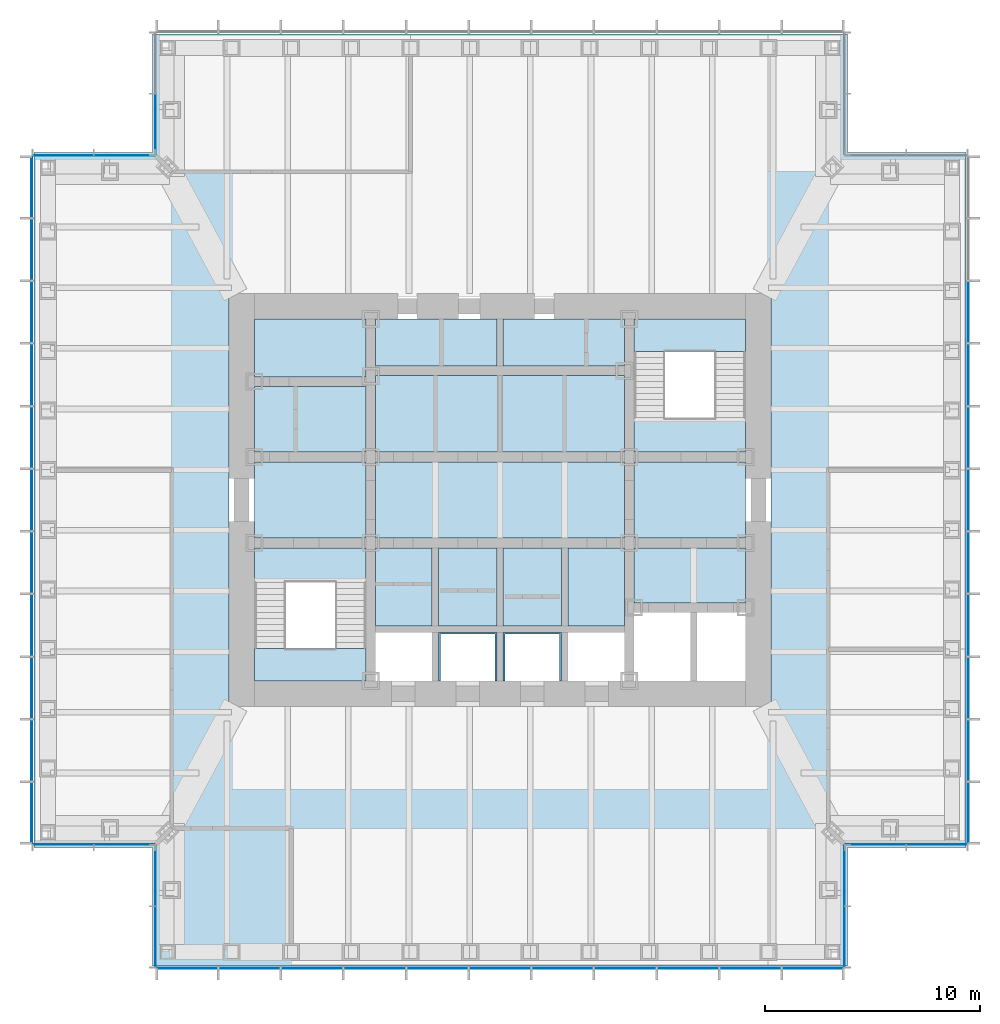
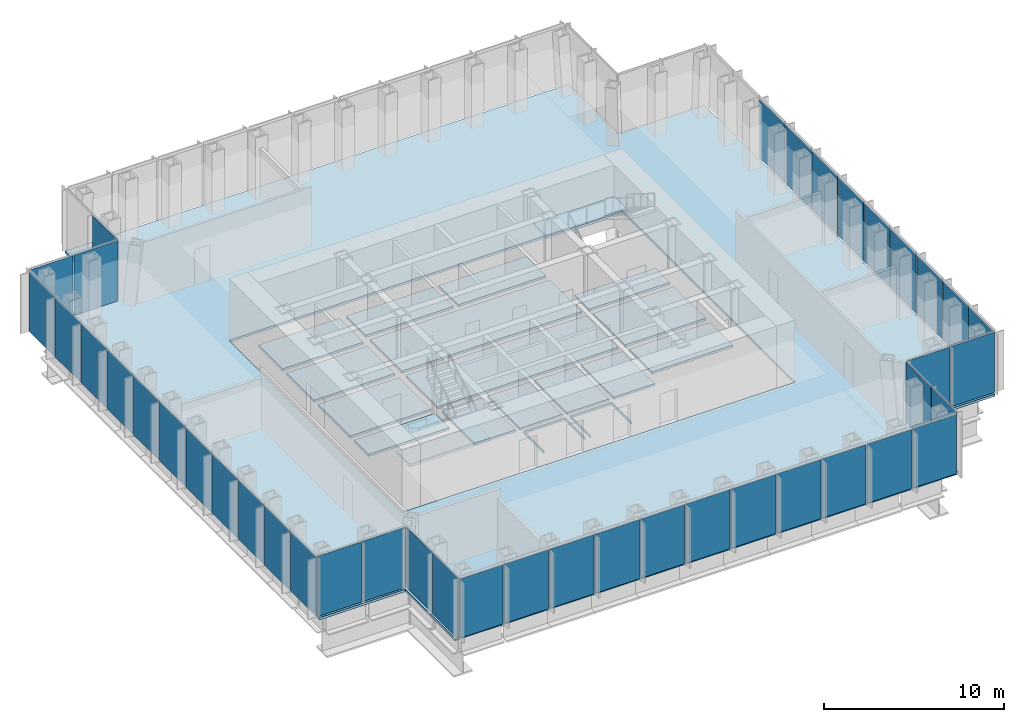
# One storey, part 7 of 14: 42 plates, 20 slabs, 11 elements without a shape of their own.
"""IFC4 building model written with IfcOpenShell, lengths in metres."""

from ifc_helpers import new_model, si_unit, direction, frame, origin, origin_2d, place, context, subcontext, project, spatial, polyline, rectangle, outline, extrude, material, layer, layer_set, type_object, element, aggregate, save


model = new_model("IFC4")

# Units and contexts
model_context = context("Model", 3, precision=1e-05, world=origin(), true_north=direction((0.0, 1.0)))
body_context = subcontext(model_context, "Body", "Model", "MODEL_VIEW")
ifc_project = project(units=[si_unit("LENGTHUNIT", "METRE"), si_unit("AREAUNIT", "SQUARE_METRE"), si_unit("VOLUMEUNIT", "CUBIC_METRE"), si_unit("PLANEANGLEUNIT", "RADIAN"), si_unit("MASSUNIT", "GRAM", prefix="KILO")], contexts=[model_context])

# Site, building, storey
site_placement = place(None, origin())
site = spatial("IfcSite", under=ifc_project, at=site_placement, CompositionType="ELEMENT")
building_placement = place(site_placement, origin())
building = spatial("IfcBuilding", under=site, at=building_placement, Name="Daluyong Arena Tower", CompositionType="ELEMENT")
storey_placement = place(building_placement, frame((0.0, 0.0, 250.300048828125)))
storey = spatial("IfcBuildingStorey", under=building, at=storey_placement, Name="L56", CompositionType="ELEMENT", Elevation=250.300048828125)

# Curtain wall, plates
ifc_material_1 = material(Name="Bronze anodised aluminium and glass", Category="aluminium")
curtain_wall_type_1 = type_object("IfcCurtainWallType", Name="Curtain wall CW4", PredefinedType="USERDEFINED", material=ifc_material_1)
curtain_wall_1_placement = place(storey_placement, origin())
curtain_wall_1 = element("IfcCurtainWall", 1, at=curtain_wall_1_placement, inside=storey, type_object=curtain_wall_type_1, Name="curtain wall L56 S", ObjectType="UNITISED CURTAIN WALL", PredefinedType="USERDEFINED")
ifc_material_2 = material(Name="Tinted laminated double glazed unit", Category="glass")
ifc_layer_1 = layer(ifc_material_2, 0.035888671875)
ifc_layer_set_1 = layer_set([ifc_layer_1], Name="Tinted laminated double glazed unit")
plate_type_1 = type_object("IfcPlateType", Name="CW4 panel 36", PredefinedType="CURTAIN_PANEL", material=ifc_layer_set_1)
plate_1_placement = place(storey_placement, frame((41.47705078125, 58.25, 0.0), z_axis=(0.0, 0.0, 1.0), x_axis=(1.0, 0.0, 0.0)))
plate_1 = element("IfcPlate", 2, at=plate_1_placement, type_object=plate_type_1, Name="curtain wall L56 S panel 1", PredefinedType="CURTAIN_PANEL", context=body_context, shape_type="SweptSolid", body=[
    extrude(rectangle(XDim=2.774169921875, YDim=0.035888671875, at=origin_2d()), origin(), (0.0, 0.0, 1.0), 4.0),
])
plate_2_placement = place(storey_placement, frame((44.363525390625, 58.25, 0.0), z_axis=(0.0, 0.0, 1.0), x_axis=(1.0, 0.0, 0.0)))
plate_2 = element("IfcPlate", 3, at=plate_2_placement, type_object=plate_type_1, Name="curtain wall L56 S panel 2", PredefinedType="CURTAIN_PANEL", context=body_context, shape_type="SweptSolid", body=[
    extrude(rectangle(XDim=2.819091796875, YDim=0.035888671875, at=origin_2d()), origin(), (0.0, 0.0, 1.0), 4.0),
])
plate_3_placement = place(storey_placement, frame((47.272705078125, 58.25, 0.0), z_axis=(0.0, 0.0, 1.0), x_axis=(1.0, 0.0, 0.0)))
plate_3 = element("IfcPlate", 4, at=plate_3_placement, type_object=plate_type_1, Name="curtain wall L56 S panel 3", PredefinedType="CURTAIN_PANEL", context=body_context, shape_type="SweptSolid", body=[
    extrude(rectangle(XDim=2.819091796875, YDim=0.035888671875, at=origin_2d()), origin(), (0.0, 0.0, 1.0), 4.0),
])
plate_4_placement = place(storey_placement, frame((50.181884765625, 58.25, 0.0), z_axis=(0.0, 0.0, 1.0), x_axis=(1.0, 0.0, 0.0)))
plate_4 = element("IfcPlate", 5, at=plate_4_placement, type_object=plate_type_1, Name="curtain wall L56 S panel 4", PredefinedType="CURTAIN_PANEL", context=body_context, shape_type="SweptSolid", body=[
    extrude(rectangle(XDim=2.819091796875, YDim=0.035888671875, at=origin_2d()), origin(), (0.0, 0.0, 1.0), 4.0),
])
plate_5_placement = place(storey_placement, frame((53.0908203125, 58.25, 0.0), z_axis=(0.0, 0.0, 1.0), x_axis=(1.0, 0.0, 0.0)))
plate_5 = element("IfcPlate", 6, at=plate_5_placement, type_object=plate_type_1, Name="curtain wall L56 S panel 5", PredefinedType="CURTAIN_PANEL", context=body_context, shape_type="SweptSolid", body=[
    extrude(rectangle(XDim=2.819091796875, YDim=0.035888671875, at=origin_2d()), origin(), (0.0, 0.0, 1.0), 4.0),
])
plate_6_placement = place(storey_placement, frame((56.0, 58.25, 0.0), z_axis=(0.0, 0.0, 1.0), x_axis=(1.0, 0.0, 0.0)))
plate_6 = element("IfcPlate", 7, at=plate_6_placement, type_object=plate_type_1, Name="curtain wall L56 S panel 6", PredefinedType="CURTAIN_PANEL", context=body_context, shape_type="SweptSolid", body=[
    extrude(rectangle(XDim=2.819091796875, YDim=0.035888671875, at=origin_2d()), origin(), (0.0, 0.0, 1.0), 4.0),
])
plate_7_placement = place(storey_placement, frame((58.9091796875, 58.25, 0.0), z_axis=(0.0, 0.0, 1.0), x_axis=(1.0, 0.0, 0.0)))
plate_7 = element("IfcPlate", 8, at=plate_7_placement, type_object=plate_type_1, Name="curtain wall L56 S panel 7", PredefinedType="CURTAIN_PANEL", context=body_context, shape_type="SweptSolid", body=[
    extrude(rectangle(XDim=2.819091796875, YDim=0.035888671875, at=origin_2d()), origin(), (0.0, 0.0, 1.0), 4.0),
])
plate_8_placement = place(storey_placement, frame((61.818115234375, 58.25, 0.0), z_axis=(0.0, 0.0, 1.0), x_axis=(1.0, 0.0, 0.0)))
plate_8 = element("IfcPlate", 9, at=plate_8_placement, type_object=plate_type_1, Name="curtain wall L56 S panel 8", PredefinedType="CURTAIN_PANEL", context=body_context, shape_type="SweptSolid", body=[
    extrude(rectangle(XDim=2.819091796875, YDim=0.035888671875, at=origin_2d()), origin(), (0.0, 0.0, 1.0), 4.0),
])
plate_9_placement = place(storey_placement, frame((64.727294921875, 58.25, 0.0), z_axis=(0.0, 0.0, 1.0), x_axis=(1.0, 0.0, 0.0)))
plate_9 = element("IfcPlate", 10, at=plate_9_placement, type_object=plate_type_1, Name="curtain wall L56 S panel 9", PredefinedType="CURTAIN_PANEL", context=body_context, shape_type="SweptSolid", body=[
    extrude(rectangle(XDim=2.819091796875, YDim=0.035888671875, at=origin_2d()), origin(), (0.0, 0.0, 1.0), 4.0),
])
plate_10_placement = place(storey_placement, frame((67.636474609375, 58.25, 0.0), z_axis=(0.0, 0.0, 1.0), x_axis=(1.0, 0.0, 0.0)))
plate_10 = element("IfcPlate", 11, at=plate_10_placement, type_object=plate_type_1, Name="curtain wall L56 S panel 10", PredefinedType="CURTAIN_PANEL", context=body_context, shape_type="SweptSolid", body=[
    extrude(rectangle(XDim=2.819091796875, YDim=0.035888671875, at=origin_2d()), origin(), (0.0, 0.0, 1.0), 4.0),
])
plate_11_placement = place(storey_placement, frame((70.52294921875, 58.25, 0.0), z_axis=(0.0, 0.0, 1.0), x_axis=(1.0, 0.0, 0.0)))
plate_11 = element("IfcPlate", 12, at=plate_11_placement, type_object=plate_type_1, Name="curtain wall L56 S panel 11", PredefinedType="CURTAIN_PANEL", context=body_context, shape_type="SweptSolid", body=[
    extrude(rectangle(XDim=2.774169921875, YDim=0.035888671875, at=origin_2d()), origin(), (0.0, 0.0, 1.0), 4.0),
])
aggregate(curtain_wall_1, [plate_1, plate_2, plate_3, plate_4, plate_5, plate_6, plate_7, plate_8, plate_9, plate_10, plate_11])

curtain_wall_2_placement = place(storey_placement, origin())
curtain_wall_2 = element("IfcCurtainWall", 13, at=curtain_wall_2_placement, inside=storey, type_object=curtain_wall_type_1, Name="curtain wall L56 E", ObjectType="UNITISED CURTAIN WALL", PredefinedType="USERDEFINED")
plate_12_placement = place(storey_placement, frame((77.75, 65.47705078125, 0.0), z_axis=(0.0, 0.0, 1.0), x_axis=(0.0, 1.0, 0.0)))
plate_12 = element("IfcPlate", 14, at=plate_12_placement, type_object=plate_type_1, Name="curtain wall L56 E panel 1", PredefinedType="CURTAIN_PANEL", context=body_context, shape_type="SweptSolid", body=[
    extrude(rectangle(XDim=2.774169921875, YDim=0.035888671875, at=origin_2d()), origin(), (0.0, 0.0, 1.0), 4.0),
])
plate_13_placement = place(storey_placement, frame((77.75, 68.363525390625, 0.0), z_axis=(0.0, 0.0, 1.0), x_axis=(0.0, 1.0, 0.0)))
plate_13 = element("IfcPlate", 15, at=plate_13_placement, type_object=plate_type_1, Name="curtain wall L56 E panel 2", PredefinedType="CURTAIN_PANEL", context=body_context, shape_type="SweptSolid", body=[
    extrude(rectangle(XDim=2.819091796875, YDim=0.035888671875, at=origin_2d()), origin(), (0.0, 0.0, 1.0), 4.0),
])
plate_14_placement = place(storey_placement, frame((77.75, 71.272705078125, 0.0), z_axis=(0.0, 0.0, 1.0), x_axis=(0.0, 1.0, 0.0)))
plate_14 = element("IfcPlate", 16, at=plate_14_placement, type_object=plate_type_1, Name="curtain wall L56 E panel 3", PredefinedType="CURTAIN_PANEL", context=body_context, shape_type="SweptSolid", body=[
    extrude(rectangle(XDim=2.819091796875, YDim=0.035888671875, at=origin_2d()), origin(), (0.0, 0.0, 1.0), 4.0),
])
plate_15_placement = place(storey_placement, frame((77.75, 74.181884765625, 0.0), z_axis=(0.0, 0.0, 1.0), x_axis=(0.0, 1.0, 0.0)))
plate_15 = element("IfcPlate", 17, at=plate_15_placement, type_object=plate_type_1, Name="curtain wall L56 E panel 4", PredefinedType="CURTAIN_PANEL", context=body_context, shape_type="SweptSolid", body=[
    extrude(rectangle(XDim=2.819091796875, YDim=0.035888671875, at=origin_2d()), origin(), (0.0, 0.0, 1.0), 4.0),
])
plate_16_placement = place(storey_placement, frame((77.75, 77.0908203125, 0.0), z_axis=(0.0, 0.0, 1.0), x_axis=(0.0, 1.0, 0.0)))
plate_16 = element("IfcPlate", 18, at=plate_16_placement, type_object=plate_type_1, Name="curtain wall L56 E panel 5", PredefinedType="CURTAIN_PANEL", context=body_context, shape_type="SweptSolid", body=[
    extrude(rectangle(XDim=2.819091796875, YDim=0.035888671875, at=origin_2d()), origin(), (0.0, 0.0, 1.0), 4.0),
])
plate_17_placement = place(storey_placement, frame((77.75, 80.0, 0.0), z_axis=(0.0, 0.0, 1.0), x_axis=(0.0, 1.0, 0.0)))
plate_17 = element("IfcPlate", 19, at=plate_17_placement, type_object=plate_type_1, Name="curtain wall L56 E panel 6", PredefinedType="CURTAIN_PANEL", context=body_context, shape_type="SweptSolid", body=[
    extrude(rectangle(XDim=2.819091796875, YDim=0.035888671875, at=origin_2d()), origin(), (0.0, 0.0, 1.0), 4.0),
])
plate_18_placement = place(storey_placement, frame((77.75, 82.9091796875, 0.0), z_axis=(0.0, 0.0, 1.0), x_axis=(0.0, 1.0, 0.0)))
plate_18 = element("IfcPlate", 20, at=plate_18_placement, type_object=plate_type_1, Name="curtain wall L56 E panel 7", PredefinedType="CURTAIN_PANEL", context=body_context, shape_type="SweptSolid", body=[
    extrude(rectangle(XDim=2.819091796875, YDim=0.035888671875, at=origin_2d()), origin(), (0.0, 0.0, 1.0), 4.0),
])
plate_19_placement = place(storey_placement, frame((77.75, 85.818115234375, 0.0), z_axis=(0.0, 0.0, 1.0), x_axis=(0.0, 1.0, 0.0)))
plate_19 = element("IfcPlate", 21, at=plate_19_placement, type_object=plate_type_1, Name="curtain wall L56 E panel 8", PredefinedType="CURTAIN_PANEL", context=body_context, shape_type="SweptSolid", body=[
    extrude(rectangle(XDim=2.819091796875, YDim=0.035888671875, at=origin_2d()), origin(), (0.0, 0.0, 1.0), 4.0),
])
plate_20_placement = place(storey_placement, frame((77.75, 88.727294921875, 0.0), z_axis=(0.0, 0.0, 1.0), x_axis=(0.0, 1.0, 0.0)))
plate_20 = element("IfcPlate", 22, at=plate_20_placement, type_object=plate_type_1, Name="curtain wall L56 E panel 9", PredefinedType="CURTAIN_PANEL", context=body_context, shape_type="SweptSolid", body=[
    extrude(rectangle(XDim=2.819091796875, YDim=0.035888671875, at=origin_2d()), origin(), (0.0, 0.0, 1.0), 4.0),
])
aggregate(curtain_wall_2, [plate_12, plate_13, plate_14, plate_15, plate_16, plate_17, plate_18, plate_19, plate_20])

curtain_wall_3_placement = place(storey_placement, origin())
curtain_wall_3 = element("IfcCurtainWall", 23, at=curtain_wall_3_placement, inside=storey, type_object=curtain_wall_type_1, Name="curtain wall L56 W", ObjectType="UNITISED CURTAIN WALL", PredefinedType="USERDEFINED")
plate_21_placement = place(storey_placement, frame((34.25, 94.52294921875, 0.0), z_axis=(0.0, 0.0, 1.0), x_axis=(0.0, -1.0, 0.0)))
plate_21 = element("IfcPlate", 24, at=plate_21_placement, type_object=plate_type_1, Name="curtain wall L56 W panel 1", PredefinedType="CURTAIN_PANEL", context=body_context, shape_type="SweptSolid", body=[
    extrude(rectangle(XDim=2.774169921875, YDim=0.035888671875, at=origin_2d()), origin(), (0.0, 0.0, 1.0), 4.0),
])
plate_22_placement = place(storey_placement, frame((34.25, 91.636474609375, 0.0), z_axis=(0.0, 0.0, 1.0), x_axis=(0.0, -1.0, 0.0)))
plate_22 = element("IfcPlate", 25, at=plate_22_placement, type_object=plate_type_1, Name="curtain wall L56 W panel 2", PredefinedType="CURTAIN_PANEL", context=body_context, shape_type="SweptSolid", body=[
    extrude(rectangle(XDim=2.819091796875, YDim=0.035888671875, at=origin_2d()), origin(), (0.0, 0.0, 1.0), 4.0),
])
plate_23_placement = place(storey_placement, frame((34.25, 88.727294921875, 0.0), z_axis=(0.0, 0.0, 1.0), x_axis=(0.0, -1.0, 0.0)))
plate_23 = element("IfcPlate", 26, at=plate_23_placement, type_object=plate_type_1, Name="curtain wall L56 W panel 3", PredefinedType="CURTAIN_PANEL", context=body_context, shape_type="SweptSolid", body=[
    extrude(rectangle(XDim=2.819091796875, YDim=0.035888671875, at=origin_2d()), origin(), (0.0, 0.0, 1.0), 4.0),
])
plate_24_placement = place(storey_placement, frame((34.25, 85.818115234375, 0.0), z_axis=(0.0, 0.0, 1.0), x_axis=(0.0, -1.0, 0.0)))
plate_24 = element("IfcPlate", 27, at=plate_24_placement, type_object=plate_type_1, Name="curtain wall L56 W panel 4", PredefinedType="CURTAIN_PANEL", context=body_context, shape_type="SweptSolid", body=[
    extrude(rectangle(XDim=2.819091796875, YDim=0.035888671875, at=origin_2d()), origin(), (0.0, 0.0, 1.0), 4.0),
])
plate_25_placement = place(storey_placement, frame((34.25, 82.9091796875, 0.0), z_axis=(0.0, 0.0, 1.0), x_axis=(0.0, -1.0, 0.0)))
plate_25 = element("IfcPlate", 28, at=plate_25_placement, type_object=plate_type_1, Name="curtain wall L56 W panel 5", PredefinedType="CURTAIN_PANEL", context=body_context, shape_type="SweptSolid", body=[
    extrude(rectangle(XDim=2.819091796875, YDim=0.035888671875, at=origin_2d()), origin(), (0.0, 0.0, 1.0), 4.0),
])
plate_26_placement = place(storey_placement, frame((34.25, 80.0, 0.0), z_axis=(0.0, 0.0, 1.0), x_axis=(0.0, -1.0, 0.0)))
plate_26 = element("IfcPlate", 29, at=plate_26_placement, type_object=plate_type_1, Name="curtain wall L56 W panel 6", PredefinedType="CURTAIN_PANEL", context=body_context, shape_type="SweptSolid", body=[
    extrude(rectangle(XDim=2.819091796875, YDim=0.035888671875, at=origin_2d()), origin(), (0.0, 0.0, 1.0), 4.0),
])
plate_27_placement = place(storey_placement, frame((34.25, 77.0908203125, 0.0), z_axis=(0.0, 0.0, 1.0), x_axis=(0.0, -1.0, 0.0)))
plate_27 = element("IfcPlate", 30, at=plate_27_placement, type_object=plate_type_1, Name="curtain wall L56 W panel 7", PredefinedType="CURTAIN_PANEL", context=body_context, shape_type="SweptSolid", body=[
    extrude(rectangle(XDim=2.819091796875, YDim=0.035888671875, at=origin_2d()), origin(), (0.0, 0.0, 1.0), 4.0),
])
plate_28_placement = place(storey_placement, frame((34.25, 74.181884765625, 0.0), z_axis=(0.0, 0.0, 1.0), x_axis=(0.0, -1.0, 0.0)))
plate_28 = element("IfcPlate", 31, at=plate_28_placement, type_object=plate_type_1, Name="curtain wall L56 W panel 8", PredefinedType="CURTAIN_PANEL", context=body_context, shape_type="SweptSolid", body=[
    extrude(rectangle(XDim=2.819091796875, YDim=0.035888671875, at=origin_2d()), origin(), (0.0, 0.0, 1.0), 4.0),
])
plate_29_placement = place(storey_placement, frame((34.25, 71.272705078125, 0.0), z_axis=(0.0, 0.0, 1.0), x_axis=(0.0, -1.0, 0.0)))
plate_29 = element("IfcPlate", 32, at=plate_29_placement, type_object=plate_type_1, Name="curtain wall L56 W panel 9", PredefinedType="CURTAIN_PANEL", context=body_context, shape_type="SweptSolid", body=[
    extrude(rectangle(XDim=2.819091796875, YDim=0.035888671875, at=origin_2d()), origin(), (0.0, 0.0, 1.0), 4.0),
])
plate_30_placement = place(storey_placement, frame((34.25, 68.363525390625, 0.0), z_axis=(0.0, 0.0, 1.0), x_axis=(0.0, -1.0, 0.0)))
plate_30 = element("IfcPlate", 33, at=plate_30_placement, type_object=plate_type_1, Name="curtain wall L56 W panel 10", PredefinedType="CURTAIN_PANEL", context=body_context, shape_type="SweptSolid", body=[
    extrude(rectangle(XDim=2.819091796875, YDim=0.035888671875, at=origin_2d()), origin(), (0.0, 0.0, 1.0), 4.0),
])
plate_31_placement = place(storey_placement, frame((34.25, 65.47705078125, 0.0), z_axis=(0.0, 0.0, 1.0), x_axis=(0.0, -1.0, 0.0)))
plate_31 = element("IfcPlate", 34, at=plate_31_placement, type_object=plate_type_1, Name="curtain wall L56 W panel 11", PredefinedType="CURTAIN_PANEL", context=body_context, shape_type="SweptSolid", body=[
    extrude(rectangle(XDim=2.774169921875, YDim=0.035888671875, at=origin_2d()), origin(), (0.0, 0.0, 1.0), 4.0),
])
aggregate(curtain_wall_3, [plate_21, plate_22, plate_23, plate_24, plate_25, plate_26, plate_27, plate_28, plate_29, plate_30, plate_31])

ifc_material_3 = material(Name="Bronze anodised aluminium and glass", Category="aluminium")
curtain_wall_type_2 = type_object("IfcCurtainWallType", Name="Curtain wall CW7", PredefinedType="USERDEFINED", material=ifc_material_3)
curtain_wall_4_placement = place(storey_placement, origin())
curtain_wall_4 = element("IfcCurtainWall", 35, at=curtain_wall_4_placement, inside=storey, type_object=curtain_wall_type_2, Name="curtain wall L56 SE-E", ObjectType="UNITISED CURTAIN WALL", PredefinedType="USERDEFINED")
ifc_material_4 = material(Name="Tinted double glazed unit", Category="glass")
ifc_layer_2 = layer(ifc_material_4, 0.028076171875)
ifc_layer_set_2 = layer_set([ifc_layer_2], Name="Tinted double glazed unit")
plate_type_2 = type_object("IfcPlateType", Name="CW7 panel 28", PredefinedType="CURTAIN_PANEL", material=ifc_layer_set_2)
plate_32_placement = place(storey_placement, frame((72.0, 59.702392578125, 0.0), z_axis=(0.0, 0.0, 1.0), x_axis=(0.0, 1.0, 0.0)))
plate_32 = element("IfcPlate", 36, at=plate_32_placement, type_object=plate_type_2, Name="curtain wall L56 SE-E panel 1", PredefinedType="CURTAIN_PANEL", context=body_context, shape_type="SweptSolid", body=[
    extrude(rectangle(XDim=2.784912109375, YDim=0.028076171875, at=origin_2d()), origin(), (0.0, 0.0, 1.0), 4.080078125),
])
plate_33_placement = place(storey_placement, frame((72.0, 62.547607421875, 0.0), z_axis=(0.0, 0.0, 1.0), x_axis=(0.0, 1.0, 0.0)))
plate_33 = element("IfcPlate", 37, at=plate_33_placement, type_object=plate_type_2, Name="curtain wall L56 SE-E panel 2", PredefinedType="CURTAIN_PANEL", context=body_context, shape_type="SweptSolid", body=[
    extrude(rectangle(XDim=2.784912109375, YDim=0.028076171875, at=origin_2d()), origin(), (0.0, 0.0, 1.0), 4.080078125),
])
aggregate(curtain_wall_4, [plate_32, plate_33])

curtain_wall_5_placement = place(storey_placement, origin())
curtain_wall_5 = element("IfcCurtainWall", 38, at=curtain_wall_5_placement, inside=storey, type_object=curtain_wall_type_2, Name="curtain wall L56 SE-S", ObjectType="UNITISED CURTAIN WALL", PredefinedType="USERDEFINED")
plate_34_placement = place(storey_placement, frame((73.452392578125, 64.0, 0.0), z_axis=(0.0, 0.0, 1.0), x_axis=(1.0, 0.0, 0.0)))
plate_34 = element("IfcPlate", 39, at=plate_34_placement, type_object=plate_type_2, Name="curtain wall L56 SE-S panel 1", PredefinedType="CURTAIN_PANEL", context=body_context, shape_type="SweptSolid", body=[
    extrude(rectangle(XDim=2.784912109375, YDim=0.028076171875, at=origin_2d()), origin(), (0.0, 0.0, 1.0), 4.080078125),
])
plate_35_placement = place(storey_placement, frame((76.297607421875, 64.0, 0.0), z_axis=(0.0, 0.0, 1.0), x_axis=(1.0, 0.0, 0.0)))
plate_35 = element("IfcPlate", 40, at=plate_35_placement, type_object=plate_type_2, Name="curtain wall L56 SE-S panel 2", PredefinedType="CURTAIN_PANEL", context=body_context, shape_type="SweptSolid", body=[
    extrude(rectangle(XDim=2.784912109375, YDim=0.028076171875, at=origin_2d()), origin(), (0.0, 0.0, 1.0), 4.080078125),
])
aggregate(curtain_wall_5, [plate_34, plate_35])

# Curtain wall, plate
curtain_wall_6_placement = place(storey_placement, origin())
curtain_wall_6 = element("IfcCurtainWall", 41, at=curtain_wall_6_placement, inside=storey, type_object=curtain_wall_type_2, Name="curtain wall L56 NW-W", ObjectType="UNITISED CURTAIN WALL", PredefinedType="USERDEFINED")
plate_36_placement = place(storey_placement, frame((40.0, 97.452392578125, 0.0), z_axis=(0.0, 0.0, 1.0), x_axis=(0.0, -1.0, 0.0)))
plate_36 = element("IfcPlate", 42, at=plate_36_placement, type_object=plate_type_2, Name="curtain wall L56 NW-W panel 2", PredefinedType="CURTAIN_PANEL", context=body_context, shape_type="SweptSolid", body=[
    extrude(rectangle(XDim=2.784912109375, YDim=0.028076171875, at=origin_2d()), origin(), (0.0, 0.0, 1.0), 4.080078125),
])
aggregate(curtain_wall_6, [plate_36])

# Curtain wall, plates
curtain_wall_7_placement = place(storey_placement, origin())
curtain_wall_7 = element("IfcCurtainWall", 43, at=curtain_wall_7_placement, inside=storey, type_object=curtain_wall_type_2, Name="curtain wall L56 NW-N", ObjectType="UNITISED CURTAIN WALL", PredefinedType="USERDEFINED")
plate_37_placement = place(storey_placement, frame((38.547607421875, 96.0, 0.0), z_axis=(0.0, 0.0, 1.0), x_axis=(-1.0, 0.0, 0.0)))
plate_37 = element("IfcPlate", 44, at=plate_37_placement, type_object=plate_type_2, Name="curtain wall L56 NW-N panel 1", PredefinedType="CURTAIN_PANEL", context=body_context, shape_type="SweptSolid", body=[
    extrude(rectangle(XDim=2.784912109375, YDim=0.028076171875, at=origin_2d()), origin(), (0.0, 0.0, 1.0), 4.080078125),
])
plate_38_placement = place(storey_placement, frame((35.702392578125, 96.0, 0.0), z_axis=(0.0, 0.0, 1.0), x_axis=(-1.0, 0.0, 0.0)))
plate_38 = element("IfcPlate", 45, at=plate_38_placement, type_object=plate_type_2, Name="curtain wall L56 NW-N panel 2", PredefinedType="CURTAIN_PANEL", context=body_context, shape_type="SweptSolid", body=[
    extrude(rectangle(XDim=2.784912109375, YDim=0.028076171875, at=origin_2d()), origin(), (0.0, 0.0, 1.0), 4.080078125),
])
aggregate(curtain_wall_7, [plate_37, plate_38])

curtain_wall_8_placement = place(storey_placement, origin())
curtain_wall_8 = element("IfcCurtainWall", 46, at=curtain_wall_8_placement, inside=storey, type_object=curtain_wall_type_2, Name="curtain wall L56 SW-S", ObjectType="UNITISED CURTAIN WALL", PredefinedType="USERDEFINED")
plate_39_placement = place(storey_placement, frame((35.702392578125, 64.0, 0.0), z_axis=(0.0, 0.0, 1.0), x_axis=(1.0, 0.0, 0.0)))
plate_39 = element("IfcPlate", 47, at=plate_39_placement, type_object=plate_type_2, Name="curtain wall L56 SW-S panel 1", PredefinedType="CURTAIN_PANEL", context=body_context, shape_type="SweptSolid", body=[
    extrude(rectangle(XDim=2.784912109375, YDim=0.028076171875, at=origin_2d()), origin(), (0.0, 0.0, 1.0), 4.080078125),
])
plate_40_placement = place(storey_placement, frame((38.547607421875, 64.0, 0.0), z_axis=(0.0, 0.0, 1.0), x_axis=(1.0, 0.0, 0.0)))
plate_40 = element("IfcPlate", 48, at=plate_40_placement, type_object=plate_type_2, Name="curtain wall L56 SW-S panel 2", PredefinedType="CURTAIN_PANEL", context=body_context, shape_type="SweptSolid", body=[
    extrude(rectangle(XDim=2.784912109375, YDim=0.028076171875, at=origin_2d()), origin(), (0.0, 0.0, 1.0), 4.080078125),
])
aggregate(curtain_wall_8, [plate_39, plate_40])

curtain_wall_9_placement = place(storey_placement, origin())
curtain_wall_9 = element("IfcCurtainWall", 49, at=curtain_wall_9_placement, inside=storey, type_object=curtain_wall_type_2, Name="curtain wall L56 SW-W", ObjectType="UNITISED CURTAIN WALL", PredefinedType="USERDEFINED")
plate_41_placement = place(storey_placement, frame((40.0, 62.547607421875, 0.0), z_axis=(0.0, 0.0, 1.0), x_axis=(0.0, -1.0, 0.0)))
plate_41 = element("IfcPlate", 50, at=plate_41_placement, type_object=plate_type_2, Name="curtain wall L56 SW-W panel 1", PredefinedType="CURTAIN_PANEL", context=body_context, shape_type="SweptSolid", body=[
    extrude(rectangle(XDim=2.784912109375, YDim=0.028076171875, at=origin_2d()), origin(), (0.0, 0.0, 1.0), 4.080078125),
])
plate_42_placement = place(storey_placement, frame((40.0, 59.702392578125, 0.0), z_axis=(0.0, 0.0, 1.0), x_axis=(0.0, -1.0, 0.0)))
plate_42 = element("IfcPlate", 51, at=plate_42_placement, type_object=plate_type_2, Name="curtain wall L56 SW-W panel 2", PredefinedType="CURTAIN_PANEL", context=body_context, shape_type="SweptSolid", body=[
    extrude(rectangle(XDim=2.784912109375, YDim=0.028076171875, at=origin_2d()), origin(), (0.0, 0.0, 1.0), 4.080078125),
])
aggregate(curtain_wall_9, [plate_41, plate_42])

# Stair, slab
ifc_material_5 = material(Name="Concrete fc' 35 MPa", Category="concrete")
stair_type = type_object("IfcStairType", Name="Core exit stair", PredefinedType="HALF_TURN_STAIR", material=ifc_material_5)
stair_1_placement = place(storey_placement, origin())
stair_1 = element("IfcStair", 52, at=stair_1_placement, inside=storey, type_object=stair_type, Name="exit stair A L56", PredefinedType="HALF_TURN_STAIR")
ifc_material_6 = material(Name="Concrete fc' 35 MPa", Category="concrete")
ifc_layer_3 = layer(ifc_material_6, 0.199951171875)
ifc_layer_set_3 = layer_set([ifc_layer_3], Name="Concrete fc' 35 MPa")
slab_type_1 = type_object("IfcSlabType", Name="Stair landing 200", PredefinedType="LANDING", material=ifc_layer_set_3)
slab_1_placement = place(storey_placement, frame((0.0, 0.0, 1.89990234375)))
slab_1 = element("IfcSlab", 53, at=slab_1_placement, type_object=slab_type_1, Name="STA landing 1", PredefinedType="LANDING", context=body_context, shape_type="SweptSolid", body=[
    extrude(outline(polyline([(44.60009765625, 71.60009765625), (49.77490234375, 71.60009765625), (49.77490234375, 73.094970703125), (44.60009765625, 73.094970703125), (44.60009765625, 71.60009765625)])), origin(), (0.0, 0.0, 1.0), 0.199951171875),
])
aggregate(stair_1, [slab_1])

stair_2_placement = place(storey_placement, origin())
stair_2 = element("IfcStair", 54, at=stair_2_placement, inside=storey, type_object=stair_type, Name="exit stair B L56", PredefinedType="HALF_TURN_STAIR")
slab_2_placement = place(storey_placement, frame((0.0, 0.0, 1.89990234375)))
slab_2 = element("IfcSlab", 55, at=slab_2_placement, type_object=slab_type_1, Name="STB landing 1", PredefinedType="LANDING", context=body_context, shape_type="SweptSolid", body=[
    extrude(outline(polyline([(62.22509765625, 86.905029296875), (67.39990234375, 86.905029296875), (67.39990234375, 88.39990234375), (62.22509765625, 88.39990234375), (62.22509765625, 86.905029296875)])), origin(), (0.0, 0.0, 1.0), 0.199951171875),
])
aggregate(stair_2, [slab_2])

# Slabs
ifc_material_7 = material(Name="Concrete fc' 35 MPa", Category="concrete")
ifc_layer_4 = layer(ifc_material_7, 0.159912109375)
ifc_layer_set_4 = layer_set([ifc_layer_4], Name="Concrete fc' 35 MPa")
slab_type_2 = type_object("IfcSlabType", Name="Tower floor slab 160", PredefinedType="FLOOR", material=ifc_layer_set_4)
slab_3_placement = place(storey_placement, frame((0.0, 0.0, -0.16015625)))
element("IfcSlab", 56, at=slab_3_placement, inside=storey, type_object=slab_type_2, Name="floor L56 part 1", PredefinedType="FLOOR", context=body_context, shape_type="SweptSolid", body=[
    extrude(outline(polyline([(49.77490234375, 77.77490234375), (44.60009765625, 77.77490234375), (44.60009765625, 76.175048828125), (49.77490234375, 76.175048828125), (49.77490234375, 77.77490234375)])), origin(), (0.0, 0.0, 1.0), 0.16015625),
])
slab_4_placement = place(storey_placement, frame((0.0, 0.0, -0.16015625)))
element("IfcSlab", 57, at=slab_4_placement, inside=storey, type_object=slab_type_2, Name="floor L56 part 2", PredefinedType="FLOOR", context=body_context, shape_type="SweptSolid", body=[
    extrude(outline(polyline([(49.77490234375, 78.22509765625), (49.77490234375, 81.77490234375), (44.60009765625, 81.77490234375), (44.60009765625, 78.22509765625), (49.77490234375, 78.22509765625)])), origin(), (0.0, 0.0, 1.0), 0.16015625),
])
slab_5_placement = place(storey_placement, frame((0.0, 0.0, -0.16015625)))
element("IfcSlab", 58, at=slab_5_placement, inside=storey, type_object=slab_type_2, Name="floor L56 part 3", PredefinedType="FLOOR", context=body_context, shape_type="SweptSolid", body=[
    extrude(outline(polyline([(44.60009765625, 85.27490234375), (44.60009765625, 82.22509765625), (49.77490234375, 82.22509765625), (49.77490234375, 85.27490234375), (44.60009765625, 85.27490234375)])), origin(), (0.0, 0.0, 1.0), 0.16015625),
])
slab_6_placement = place(storey_placement, frame((0.0, 0.0, -0.16015625)))
element("IfcSlab", 59, at=slab_6_placement, inside=storey, type_object=slab_type_2, Name="floor L56 part 4", PredefinedType="FLOOR", context=body_context, shape_type="SweptSolid", body=[
    extrude(outline(polyline([(44.60009765625, 88.39990234375), (44.60009765625, 85.72509765625), (49.77490234375, 85.72509765625), (49.77490234375, 88.39990234375), (44.60009765625, 88.39990234375)])), origin(), (0.0, 0.0, 1.0), 0.16015625),
])
slab_7_placement = place(storey_placement, frame((0.0, 0.0, -0.16015625)))
element("IfcSlab", 60, at=slab_7_placement, inside=storey, type_object=slab_type_2, Name="floor L56 part 5", PredefinedType="FLOOR", context=body_context, shape_type="SweptSolid", body=[
    extrude(outline(polyline([(52.85009765625, 74.14990234375), (52.85009765625, 77.77490234375), (50.22509765625, 77.77490234375), (50.22509765625, 74.14990234375), (52.85009765625, 74.14990234375)])), origin(), (0.0, 0.0, 1.0), 0.16015625),
])
slab_8_placement = place(storey_placement, frame((0.0, 0.0, -0.16015625)))
element("IfcSlab", 61, at=slab_8_placement, inside=storey, type_object=slab_type_2, Name="floor L56 part 6", PredefinedType="FLOOR", context=body_context, shape_type="SweptSolid", body=[
    extrude(outline(polyline([(50.22509765625, 88.39990234375), (50.22509765625, 86.22509765625), (55.85009765625, 86.22509765625), (55.85009765625, 88.39990234375), (50.22509765625, 88.39990234375)])), origin(), (0.0, 0.0, 1.0), 0.16015625),
])
slab_9_placement = place(storey_placement, frame((0.0, 0.0, -0.16015625)))
element("IfcSlab", 62, at=slab_9_placement, inside=storey, type_object=slab_type_2, Name="floor L56 part 7", PredefinedType="FLOOR", context=body_context, shape_type="SweptSolid", body=[
    extrude(outline(polyline([(53.22509765625, 71.60009765625), (53.22509765625, 73.77490234375), (55.77490234375, 73.77490234375), (55.77490234375, 71.60009765625), (55.85009765625, 71.60009765625), (55.85009765625, 73.85009765625), (53.14990234375, 73.85009765625), (53.14990234375, 71.60009765625), (53.22509765625, 71.60009765625)])), origin(), (0.0, 0.0, 1.0), 0.16015625),
])
slab_10_placement = place(storey_placement, frame((0.0, 0.0, -0.16015625)))
element("IfcSlab", 63, at=slab_10_placement, inside=storey, type_object=slab_type_2, Name="floor L56 part 8", PredefinedType="FLOOR", context=body_context, shape_type="SweptSolid", body=[
    extrude(outline(polyline([(53.14990234375, 74.14990234375), (55.85009765625, 74.14990234375), (55.85009765625, 77.77490234375), (53.14990234375, 77.77490234375), (53.14990234375, 74.14990234375)])), origin(), (0.0, 0.0, 1.0), 0.16015625),
])
slab_11_placement = place(storey_placement, frame((0.0, 0.0, -0.16015625)))
element("IfcSlab", 64, at=slab_11_placement, inside=storey, type_object=slab_type_2, Name="floor L56 part 9", PredefinedType="FLOOR", context=body_context, shape_type="SweptSolid", body=[
    extrude(outline(polyline([(34.35009765625, 63.85009765625), (39.85009765625, 63.85009765625), (39.85009765625, 58.35009765625), (72.14990234375, 58.35009765625), (72.14990234375, 63.85009765625), (77.64990234375, 63.85009765625), (77.64990234375, 96.14990234375), (72.14990234375, 96.14990234375), (72.14990234375, 101.64990234375), (39.85009765625, 101.64990234375), (39.85009765625, 96.14990234375), (34.35009765625, 96.14990234375), (34.35009765625, 63.85009765625)]), holes=[polyline([(68.60009765625, 89.60009765625), (68.60009765625, 70.39990234375), (43.39990234375, 70.39990234375), (43.39990234375, 89.60009765625), (68.60009765625, 89.60009765625)])]), origin(), (0.0, 0.0, 1.0), 0.16015625),
])
slab_12_placement = place(storey_placement, frame((0.0, 0.0, -0.16015625)))
element("IfcSlab", 65, at=slab_12_placement, inside=storey, type_object=slab_type_2, Name="floor L56 part 10", PredefinedType="FLOOR", context=body_context, shape_type="SweptSolid", body=[
    extrude(outline(polyline([(50.22509765625, 81.77490234375), (50.22509765625, 78.22509765625), (61.77490234375, 78.22509765625), (61.77490234375, 81.77490234375), (50.22509765625, 81.77490234375)])), origin(), (0.0, 0.0, 1.0), 0.16015625),
])
slab_13_placement = place(storey_placement, frame((0.0, 0.0, -0.16015625)))
element("IfcSlab", 66, at=slab_13_placement, inside=storey, type_object=slab_type_2, Name="floor L56 part 11", PredefinedType="FLOOR", context=body_context, shape_type="SweptSolid", body=[
    extrude(outline(polyline([(50.22509765625, 85.77490234375), (50.22509765625, 82.22509765625), (61.77490234375, 82.22509765625), (61.77490234375, 85.77490234375), (50.22509765625, 85.77490234375)])), origin(), (0.0, 0.0, 1.0), 0.16015625),
])
slab_14_placement = place(storey_placement, frame((0.0, 0.0, -0.16015625)))
element("IfcSlab", 67, at=slab_14_placement, inside=storey, type_object=slab_type_2, Name="floor L56 part 12", PredefinedType="FLOOR", context=body_context, shape_type="SweptSolid", body=[
    extrude(outline(polyline([(56.22509765625, 71.60009765625), (56.22509765625, 73.77490234375), (58.77490234375, 73.77490234375), (58.77490234375, 71.60009765625), (58.85009765625, 71.60009765625), (58.85009765625, 73.85009765625), (56.14990234375, 73.85009765625), (56.14990234375, 71.60009765625), (56.22509765625, 71.60009765625)])), origin(), (0.0, 0.0, 1.0), 0.16015625),
])
slab_15_placement = place(storey_placement, frame((0.0, 0.0, -0.16015625)))
element("IfcSlab", 68, at=slab_15_placement, inside=storey, type_object=slab_type_2, Name="floor L56 part 13", PredefinedType="FLOOR", context=body_context, shape_type="SweptSolid", body=[
    extrude(outline(polyline([(58.85009765625, 77.77490234375), (56.14990234375, 77.77490234375), (56.14990234375, 74.14990234375), (58.85009765625, 74.14990234375), (58.85009765625, 77.77490234375)])), origin(), (0.0, 0.0, 1.0), 0.16015625),
])
slab_16_placement = place(storey_placement, frame((0.0, 0.0, -0.16015625)))
element("IfcSlab", 69, at=slab_16_placement, inside=storey, type_object=slab_type_2, Name="floor L56 part 14", PredefinedType="FLOOR", context=body_context, shape_type="SweptSolid", body=[
    extrude(outline(polyline([(56.14990234375, 88.39990234375), (56.14990234375, 86.22509765625), (61.77490234375, 86.22509765625), (61.77490234375, 88.39990234375), (56.14990234375, 88.39990234375)])), origin(), (0.0, 0.0, 1.0), 0.16015625),
])
slab_17_placement = place(storey_placement, frame((0.0, 0.0, -0.16015625)))
element("IfcSlab", 70, at=slab_17_placement, inside=storey, type_object=slab_type_2, Name="floor L56 part 15", PredefinedType="FLOOR", context=body_context, shape_type="SweptSolid", body=[
    extrude(outline(polyline([(61.77490234375, 77.77490234375), (59.14990234375, 77.77490234375), (59.14990234375, 74.14990234375), (61.77490234375, 74.14990234375), (61.77490234375, 77.77490234375)])), origin(), (0.0, 0.0, 1.0), 0.16015625),
])
slab_18_placement = place(storey_placement, frame((0.0, 0.0, -0.16015625)))
element("IfcSlab", 71, at=slab_18_placement, inside=storey, type_object=slab_type_2, Name="floor L56 part 16", PredefinedType="FLOOR", context=body_context, shape_type="SweptSolid", body=[
    extrude(outline(polyline([(67.39990234375, 75.22509765625), (67.39990234375, 77.77490234375), (62.22509765625, 77.77490234375), (62.22509765625, 75.22509765625), (67.39990234375, 75.22509765625)])), origin(), (0.0, 0.0, 1.0), 0.16015625),
])
slab_19_placement = place(storey_placement, frame((0.0, 0.0, -0.16015625)))
element("IfcSlab", 72, at=slab_19_placement, inside=storey, type_object=slab_type_2, Name="floor L56 part 17", PredefinedType="FLOOR", context=body_context, shape_type="SweptSolid", body=[
    extrude(outline(polyline([(67.39990234375, 78.22509765625), (67.39990234375, 81.77490234375), (62.22509765625, 81.77490234375), (62.22509765625, 78.22509765625), (67.39990234375, 78.22509765625)])), origin(), (0.0, 0.0, 1.0), 0.16015625),
])
slab_20_placement = place(storey_placement, frame((0.0, 0.0, -0.16015625)))
element("IfcSlab", 73, at=slab_20_placement, inside=storey, type_object=slab_type_2, Name="floor L56 part 18", PredefinedType="FLOOR", context=body_context, shape_type="SweptSolid", body=[
    extrude(outline(polyline([(67.39990234375, 83.824951171875), (62.22509765625, 83.824951171875), (62.22509765625, 82.22509765625), (67.39990234375, 82.22509765625), (67.39990234375, 83.824951171875)])), origin(), (0.0, 0.0, 1.0), 0.16015625),
])

save(model, "model.ifc")
